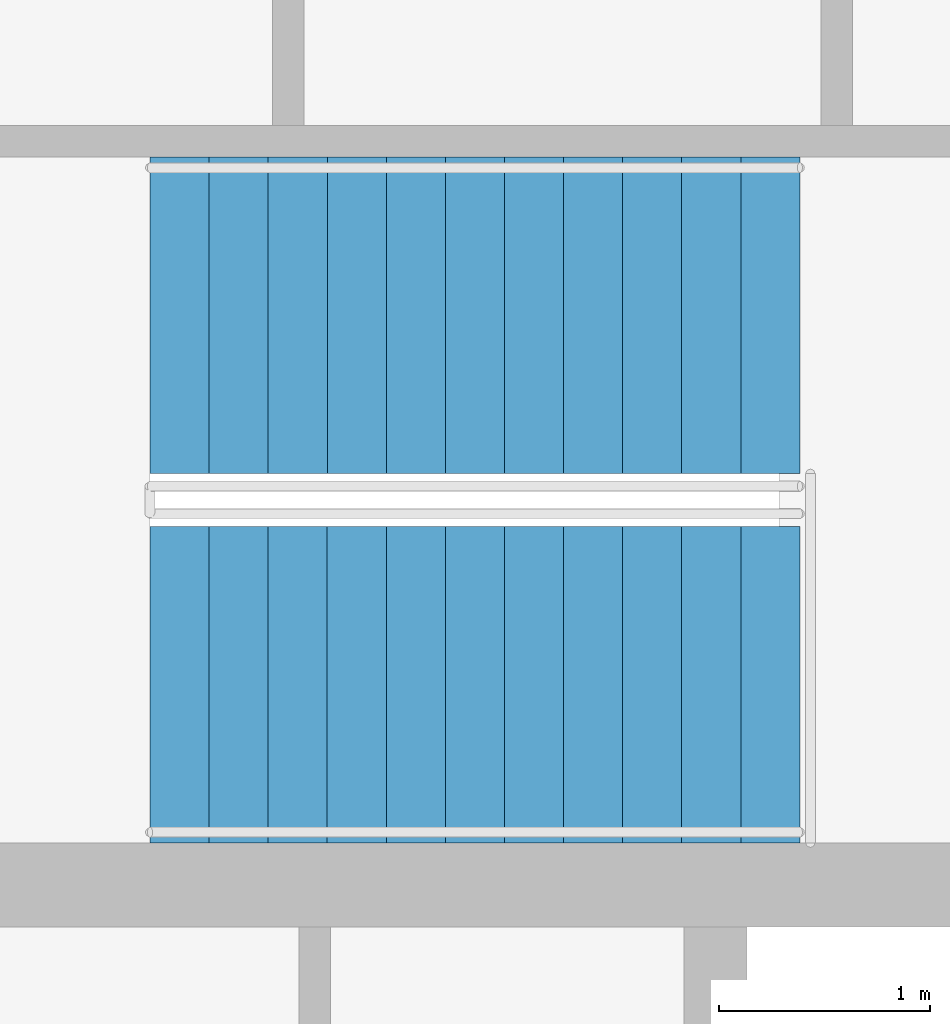
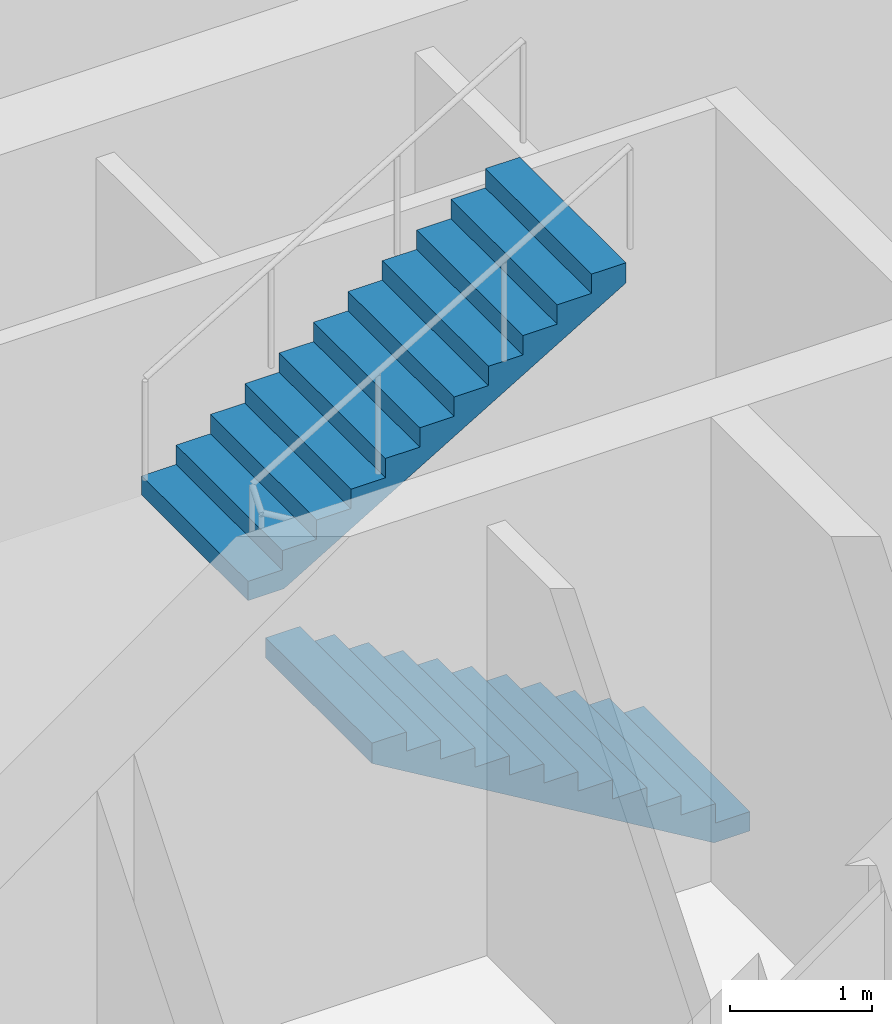
# One storey, part 8 of 11: 2 stair flights, 1 element without a shape of its own.
"""IFC4 building model written with IfcOpenShell, lengths in metres."""

from ifc_helpers import new_model, si_unit, direction, frame, origin, place, context, subcontext, project, spatial, polyline, outline, extrude, material, type_object, element, aggregate, save


model = new_model("IFC4")

# Units and contexts
model_context = context("Model", 3, precision=1e-05, world=origin(), true_north=direction((0.0, 1.0)))
body_context = subcontext(model_context, "Body", "Model", "MODEL_VIEW")
ifc_project = project(units=[si_unit("LENGTHUNIT", "METRE"), si_unit("AREAUNIT", "SQUARE_METRE"), si_unit("VOLUMEUNIT", "CUBIC_METRE"), si_unit("PLANEANGLEUNIT", "RADIAN"), si_unit("MASSUNIT", "GRAM", prefix="KILO")], contexts=[model_context])

# Site, building, storey
site_placement = place(None, origin())
site = spatial("IfcSite", under=ifc_project, at=site_placement, CompositionType="ELEMENT")
building_placement = place(site_placement, origin())
building = spatial("IfcBuilding", under=site, at=building_placement, Name="Halqa Exchange Tower", CompositionType="ELEMENT")
storey_placement = place(building_placement, frame((0.0, 0.0, 226.89990234375)))
storey = spatial("IfcBuildingStorey", under=building, at=storey_placement, Name="L52", CompositionType="ELEMENT", Elevation=226.89990234375)

# Stair, stair flights
ifc_material = material(Name="Concrete C30/37", Category="concrete")
stair_type = type_object("IfcStairType", Name="Exit stair 1500 wide", PredefinedType="HALF_TURN_STAIR", material=ifc_material)
stair_placement = place(storey_placement, origin())
stair = element("IfcStair", 1, at=stair_placement, inside=storey, type_object=stair_type, Name="Exit stair ST2", PredefinedType="HALF_TURN_STAIR")
stair_flight_type = type_object("IfcStairFlightType", Name="Stair flight 1500 wide", PredefinedType="STRAIGHT", material=ifc_material)
stair_flight_1_placement = place(storey_placement, frame((6.64990234375, 7.25, 0.0), z_axis=(0.0, 0.0, 1.0), x_axis=(-1.0, 0.0, 0.0)))
stair_flight_1 = element("IfcStairFlight", 2, at=stair_flight_1_placement, type_object=stair_flight_type, Name="ST2 flight 1", NumberOfRisers=12, NumberOfTreads=11, PredefinedType="STRAIGHT", RiserHeight=0.166666667, TreadLength=0.28, context=body_context, shape_type="SweptSolid", body=[
    extrude(outline(polyline([(0.0, 0.0), (0.0, 0.166748046875), (0.280029296875, 0.166748046875), (0.280029296875, 0.333251953125), (0.56005859375, 0.333251953125), (0.56005859375, 0.5), (0.840087890625, 0.5), (0.840087890625, 0.666748046875), (1.1201171875, 0.666748046875), (1.1201171875, 0.833251953125), (1.39990234375, 0.833251953125), (1.39990234375, 1.0), (1.679931640625, 1.0), (1.679931640625, 1.166748046875), (1.9599609375, 1.166748046875), (1.9599609375, 1.333251953125), (2.239990234375, 1.333251953125), (2.239990234375, 1.5), (2.52001953125, 1.5), (2.52001953125, 1.666748046875), (2.800048828125, 1.666748046875), (2.800048828125, 1.833251953125), (3.080078125, 1.833251953125), (3.080078125, 2.0), (3.080078125, 1.658935546875), (0.29296875, 0.0), (0.0, 0.0)])), frame((0.0, 0.75, 0.0), z_axis=(0.0, -1.0, 0.0), x_axis=(1.0, 0.0, 0.0)), (0.0, 0.0, 1.0), 1.5),
])
stair_flight_2_placement = place(storey_placement, frame((3.570068359375, 9.0, 2.0), z_axis=(0.0, 0.0, 1.0), x_axis=(1.0, 0.0, 0.0)))
stair_flight_2 = element("IfcStairFlight", 3, at=stair_flight_2_placement, type_object=stair_flight_type, Name="ST2 flight 2", NumberOfRisers=12, NumberOfTreads=11, PredefinedType="STRAIGHT", RiserHeight=0.166666667, TreadLength=0.28, context=body_context, shape_type="SweptSolid", body=[
    extrude(outline(polyline([(0.0, 0.0), (0.0, 0.166748046875), (0.280029296875, 0.166748046875), (0.280029296875, 0.333251953125), (0.56005859375, 0.333251953125), (0.56005859375, 0.5), (0.840087890625, 0.5), (0.840087890625, 0.666748046875), (1.1201171875, 0.666748046875), (1.1201171875, 0.833251953125), (1.39990234375, 0.833251953125), (1.39990234375, 1.0), (1.679931640625, 1.0), (1.679931640625, 1.166748046875), (1.9599609375, 1.166748046875), (1.9599609375, 1.333251953125), (2.239990234375, 1.333251953125), (2.239990234375, 1.5), (2.52001953125, 1.5), (2.52001953125, 1.666748046875), (2.800048828125, 1.666748046875), (2.800048828125, 1.833251953125), (3.080078125, 1.833251953125), (3.080078125, 2.0), (3.080078125, 1.658935546875), (0.29296875, 0.0), (0.0, 0.0)])), frame((0.0, 0.75, 0.0), z_axis=(0.0, -1.0, 0.0), x_axis=(1.0, 0.0, 0.0)), (0.0, 0.0, 1.0), 1.5),
])
aggregate(stair, [stair_flight_1, stair_flight_2])

save(model, "model.ifc")
